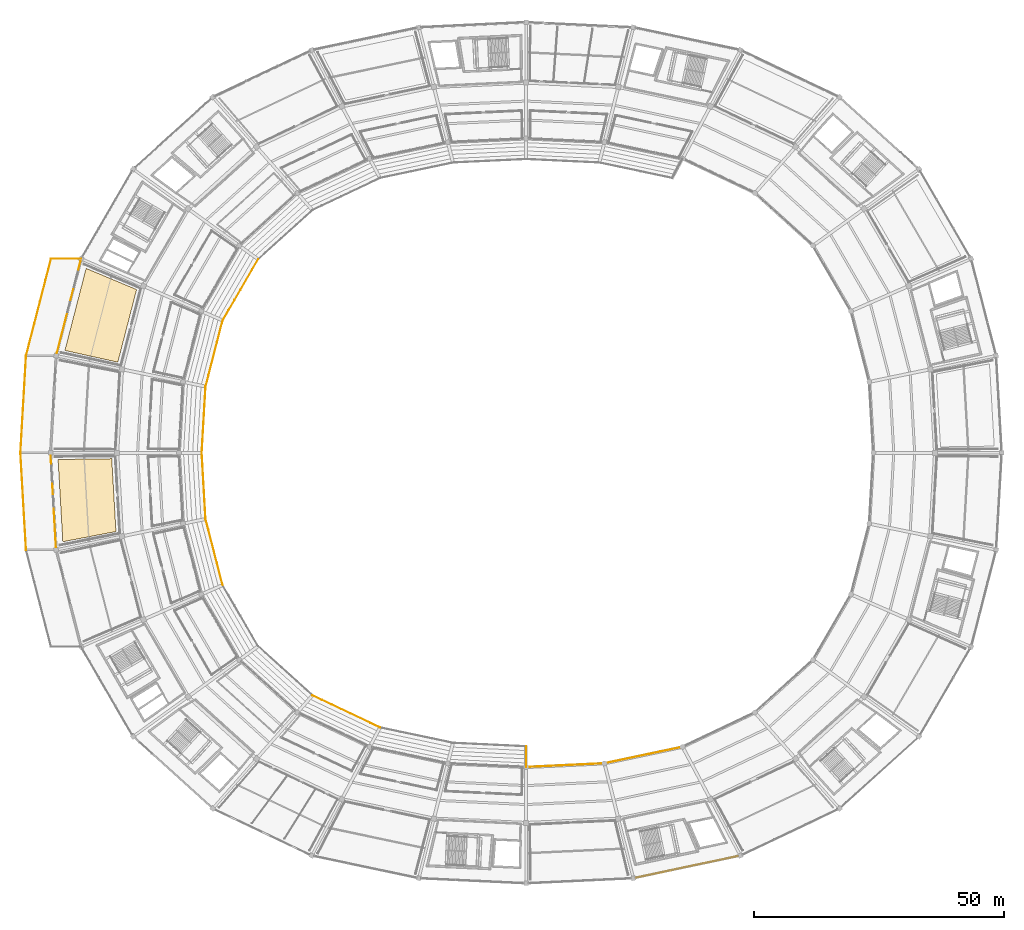
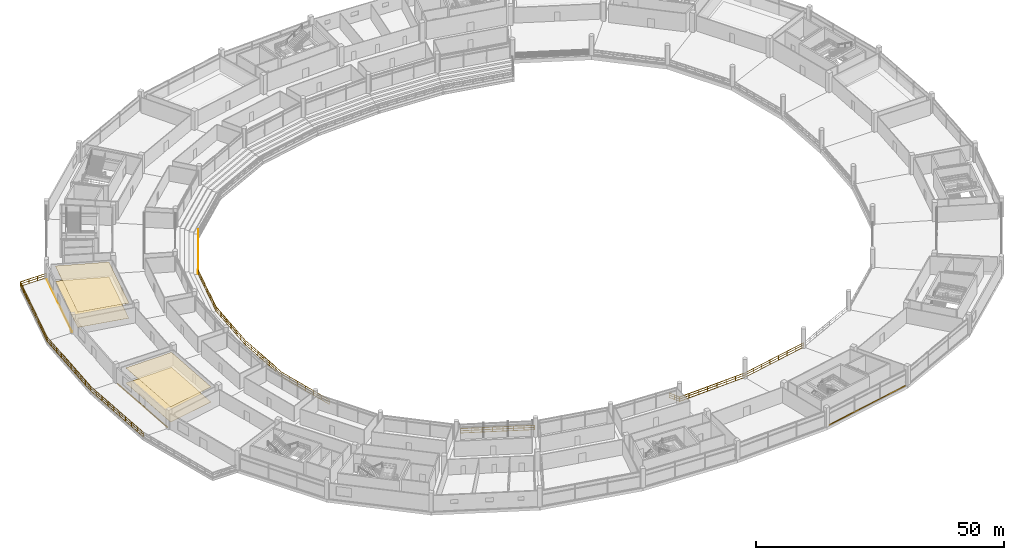
# One storey, part 166 of 171: 13 railings, 7 coverings.
"""IFC4 building model written with IfcOpenShell, lengths in metres."""

from ifc_helpers import new_model, si_unit, direction, frame, origin, origin_2d, place, context, subcontext, project, spatial, polyline, rectangle, outline, extrude, material, layer, layer_set, type_object, element, save


model = new_model("IFC4")

# Units and contexts
model_context = context("Model", 3, precision=1e-05, world=origin(), true_north=direction((0.0, 1.0)))
body_context = subcontext(model_context, "Body", "Model", "MODEL_VIEW")
ifc_project = project(units=[si_unit("LENGTHUNIT", "METRE"), si_unit("AREAUNIT", "SQUARE_METRE"), si_unit("VOLUMEUNIT", "CUBIC_METRE"), si_unit("PLANEANGLEUNIT", "RADIAN"), si_unit("MASSUNIT", "GRAM", prefix="KILO")], contexts=[model_context])

# Site, building, storey
site_placement = place(None, origin())
site = spatial("IfcSite", under=ifc_project, at=site_placement, CompositionType="ELEMENT")
building_placement = place(site_placement, origin())
building = spatial("IfcBuilding", under=site, at=building_placement, Name="Kazemori Nagisa Stadium", CompositionType="ELEMENT")
storey_placement = place(building_placement, frame((0.0, 0.0, 15.639892578125)))
storey = spatial("IfcBuildingStorey", under=building, at=storey_placement, Name="L03", CompositionType="ELEMENT", Elevation=15.639892578125)

# Coverings
ifc_material_1 = material(Name="Mineral-fibre acoustic board", Category="gypsum")
ifc_layer_1 = layer(ifc_material_1, 0.02001953125, Name="Mineral-fibre acoustic board", Category="gypsum")
ifc_layer_set_1 = layer_set([ifc_layer_1], Name="Mineral-fibre acoustic board")
covering_type_1 = type_object("IfcCoveringType", Name="Cov_CEIL", PredefinedType="CEILING", material=ifc_layer_set_1)
covering_1_placement = place(storey_placement, frame((0.0, 0.0, 3.730224609375)))
element("IfcCovering", 1, at=covering_1_placement, inside=storey, type_object=covering_type_1, Name="Acoustic ceiling L03-B13", PredefinedType="CEILING", context=body_context, shape_type="SweptSolid", body=[
    extrude(outline(polyline([(45.1875, 134.6083984375), (41.44091796875, 120.095947265625), (30.871826171875, 122.44091796875), (35.103759765625, 138.833984375), (45.1875, 134.6083984375)])), origin(), (0.0, 0.0, 1.0), 0.019775390625),
])
covering_2_placement = place(storey_placement, frame((0.0, 0.0, 3.730224609375)))
element("IfcCovering", 2, at=covering_2_placement, inside=storey, type_object=covering_type_1, Name="Acoustic ceiling L03-B15", PredefinedType="CEILING", context=body_context, shape_type="SweptSolid", body=[
    extrude(outline(polyline([(40.228271484375, 100.81591796875), (41.067626953125, 86.269287109375), (30.4501953125, 84.230712890625), (29.502197265625, 100.66259765625), (40.228271484375, 100.81591796875)])), origin(), (0.0, 0.0, 1.0), 0.019775390625),
])
ifc_material_2 = material(Name="Porcelain stoneware tile", Category="masonry")
ifc_layer_2 = layer(ifc_material_2, 0.02490234375, Name="Porcelain stoneware tile", Category="masonry")
ifc_layer_set_2 = layer_set([ifc_layer_2], Name="Porcelain stoneware tile")
covering_type_2 = type_object("IfcCoveringType", Name="Cov_FLOOR", PredefinedType="FLOORING", material=ifc_layer_set_2)
covering_3_placement = place(storey_placement, origin())
element("IfcCovering", 3, at=covering_3_placement, inside=storey, type_object=covering_type_2, Name="Porcelain floor finish L03-B13", PredefinedType="FLOORING", context=body_context, shape_type="SweptSolid", body=[
    extrude(outline(polyline([(45.1875, 134.6083984375), (41.44091796875, 120.095947265625), (30.871826171875, 122.44091796875), (35.103759765625, 138.833984375), (45.1875, 134.6083984375)])), origin(), (0.0, 0.0, 1.0), 0.025146484375),
])
covering_4_placement = place(storey_placement, origin())
element("IfcCovering", 4, at=covering_4_placement, inside=storey, type_object=covering_type_2, Name="Porcelain floor finish L03-B15", PredefinedType="FLOORING", context=body_context, shape_type="SweptSolid", body=[
    extrude(outline(polyline([(40.228271484375, 100.81591796875), (41.067626953125, 86.269287109375), (30.4501953125, 84.230712890625), (29.502197265625, 100.66259765625), (40.228271484375, 100.81591796875)])), origin(), (0.0, 0.0, 1.0), 0.025146484375),
])
ifc_material_3 = material(Name="Anodised aluminium 6063-T5", Category="aluminium")
ifc_layer_3 = layer(ifc_material_3, 0.034912109375, Name="Anodised aluminium 6063-T5", Category="aluminium")
ifc_layer_set_3 = layer_set([ifc_layer_3], Name="Anodised aluminium 6063-T5")
covering_type_3 = type_object("IfcCoveringType", Name="Covering_CLAD", PredefinedType="CLADDING", material=ifc_layer_set_3)
covering_5_placement = place(storey_placement, frame((31.6171875, 131.07373046875, -0.259765625), z_axis=(0.0, 0.0, 1.0), x_axis=(-0.249964642418, -0.968254965152, 0.0)))
element("IfcCovering", 5, at=covering_5_placement, inside=storey, type_object=covering_type_3, Name="Anodised fascia cladding L03-B13", PredefinedType="CLADDING", context=body_context, shape_type="SweptSolid", body=[
    extrude(rectangle(XDim=18.88623046875, YDim=0.0400390625, at=origin_2d()), origin(), (0.0, 0.0, 1.0), 0.260009765625),
])
covering_6_placement = place(storey_placement, frame((28.5595703125, 92.30126953125, -0.259765625), z_axis=(0.0, 0.0, 1.0), x_axis=(0.057601670941, -0.998339645364, 0.0)))
element("IfcCovering", 6, at=covering_6_placement, inside=storey, type_object=covering_type_3, Name="Anodised fascia cladding L03-B15", PredefinedType="CLADDING", context=body_context, shape_type="SweptSolid", body=[
    extrude(rectangle(XDim=18.329833984375, YDim=0.0400390625, at=origin_2d()), origin(), (0.0, 0.0, 1.0), 0.260009765625),
])
covering_7_placement = place(storey_placement, frame((155.1162109375, 19.2744140625, -0.259765625), z_axis=(0.0, 0.0, 1.0), x_axis=(0.978344955407, 0.206981033502, 0.0)))
element("IfcCovering", 7, at=covering_7_placement, inside=storey, type_object=covering_type_3, Name="Anodised fascia cladding L03-B23", PredefinedType="CLADDING", context=body_context, shape_type="SweptSolid", body=[
    extrude(rectangle(XDim=20.750244140625, YDim=0.0400390625, at=origin_2d()), origin(), (0.0, 0.0, 1.0), 0.260009765625),
])

# Railings
ifc_material_4 = material(Name="Laminated safety glass and stainless steel SUS304", Category="steel")
railing_type_1 = type_object("IfcRailingType", Name="Rail_BAL", PredefinedType="BALUSTRADE", material=ifc_material_4)
railing_1_placement = place(storey_placement, frame((123.0, 39.219970703125, 0.0)))
element("IfcRailing", 8, at=railing_1_placement, inside=storey, type_object=railing_type_1, Name="Concourse bowl balustrade L03-B22", PredefinedType="BALUSTRADE", context=body_context, shape_type="SweptSolid", body=[
    extrude(rectangle(XDim=0.050048828125, YDim=0.050048828125, at=origin_2d()), frame((0.0, 0.0, 1.09521484375), z_axis=(0.998883604512, 0.047239227746, 0.0), x_axis=(-0.047239227746, 0.998883604512, 0.0)), (0.0, 0.0, 1.0), 15.65966796875),
    extrude(rectangle(XDim=0.03759765625, YDim=0.03759765625, at=origin_2d()), frame((0.0, 0.0, 0.58251953125), z_axis=(0.998883604512, 0.047239227746, 0.0), x_axis=(-0.047239227746, 0.998883604512, 0.0)), (0.0, 0.0, 1.0), 15.65966796875),
    extrude(rectangle(XDim=0.03759765625, YDim=0.03759765625, at=origin_2d()), frame((0.0, 0.0, 0.02490234375), z_axis=(0.998883604512, 0.047239227746, 0.0), x_axis=(-0.047239227746, 0.998883604512, 0.0)), (0.0, 0.0, 1.0), 15.65966796875),
    extrude(rectangle(XDim=0.044921875, YDim=0.044921875, at=origin_2d()), origin(), (0.0, 0.0, 1.0), 1.070068359375),
    extrude(rectangle(XDim=0.044921875, YDim=0.044921875, at=origin_2d()), frame((2.234619140625, 0.105712890625, 0.0)), (0.0, 0.0, 1.0), 1.070068359375),
    extrude(rectangle(XDim=0.044921875, YDim=0.044921875, at=origin_2d()), frame((4.46923828125, 0.21142578125, 0.0)), (0.0, 0.0, 1.0), 1.070068359375),
    extrude(rectangle(XDim=0.044921875, YDim=0.044921875, at=origin_2d()), frame((6.703857421875, 0.317138671875, 0.0)), (0.0, 0.0, 1.0), 1.070068359375),
    extrude(rectangle(XDim=0.044921875, YDim=0.044921875, at=origin_2d()), frame((8.938232421875, 0.422607421875, 0.0)), (0.0, 0.0, 1.0), 1.070068359375),
    extrude(rectangle(XDim=0.044921875, YDim=0.044921875, at=origin_2d()), frame((11.1728515625, 0.5283203125, 0.0)), (0.0, 0.0, 1.0), 1.070068359375),
    extrude(rectangle(XDim=0.044921875, YDim=0.044921875, at=origin_2d()), frame((13.407470703125, 0.634033203125, 0.0)), (0.0, 0.0, 1.0), 1.070068359375),
    extrude(rectangle(XDim=0.044921875, YDim=0.044921875, at=origin_2d()), frame((15.64208984375, 0.73974609375, 0.0)), (0.0, 0.0, 1.0), 1.070068359375),
])
railing_2_placement = place(storey_placement, frame((138.64208984375, 39.959716796875, 0.0)))
element("IfcRailing", 9, at=railing_2_placement, inside=storey, type_object=railing_type_1, Name="Concourse bowl balustrade L03-B23", PredefinedType="BALUSTRADE", context=body_context, shape_type="SweptSolid", body=[
    extrude(rectangle(XDim=0.050048828125, YDim=0.050048828125, at=origin_2d()), frame((0.0, 0.0, 1.09521484375), z_axis=(0.978348272746, 0.206965352692, 0.0), x_axis=(-0.206965352692, 0.978348272746, 0.0)), (0.0, 0.0, 1.0), 15.950927734375),
    extrude(rectangle(XDim=0.03759765625, YDim=0.03759765625, at=origin_2d()), frame((0.0, 0.0, 0.58251953125), z_axis=(0.978348272746, 0.206965352692, 0.0), x_axis=(-0.206965352692, 0.978348272746, 0.0)), (0.0, 0.0, 1.0), 15.950927734375),
    extrude(rectangle(XDim=0.03759765625, YDim=0.03759765625, at=origin_2d()), frame((0.0, 0.0, 0.02490234375), z_axis=(0.978348272746, 0.206965352692, 0.0), x_axis=(-0.206965352692, 0.978348272746, 0.0)), (0.0, 0.0, 1.0), 15.950927734375),
    extrude(rectangle(XDim=0.044921875, YDim=0.044921875, at=origin_2d()), origin(), (0.0, 0.0, 1.0), 1.070068359375),
    extrude(rectangle(XDim=0.044921875, YDim=0.044921875, at=origin_2d()), frame((2.229248046875, 0.4716796875, 0.0)), (0.0, 0.0, 1.0), 1.070068359375),
    extrude(rectangle(XDim=0.044921875, YDim=0.044921875, at=origin_2d()), frame((4.458740234375, 0.943115234375, 0.0)), (0.0, 0.0, 1.0), 1.070068359375),
    extrude(rectangle(XDim=0.044921875, YDim=0.044921875, at=origin_2d()), frame((6.68798828125, 1.414794921875, 0.0)), (0.0, 0.0, 1.0), 1.070068359375),
    extrude(rectangle(XDim=0.044921875, YDim=0.044921875, at=origin_2d()), frame((8.91748046875, 1.886474609375, 0.0)), (0.0, 0.0, 1.0), 1.070068359375),
    extrude(rectangle(XDim=0.044921875, YDim=0.044921875, at=origin_2d()), frame((11.146728515625, 2.358154296875, 0.0)), (0.0, 0.0, 1.0), 1.070068359375),
    extrude(rectangle(XDim=0.044921875, YDim=0.044921875, at=origin_2d()), frame((13.376220703125, 2.82958984375, 0.0)), (0.0, 0.0, 1.0), 1.070068359375),
    extrude(rectangle(XDim=0.044921875, YDim=0.044921875, at=origin_2d()), frame((15.60546875, 3.30126953125, 0.0)), (0.0, 0.0, 1.0), 1.070068359375),
])
railing_3_placement = place(storey_placement, frame((28.114990234375, 140.74951171875, 0.0)))
element("IfcRailing", 10, at=railing_3_placement, inside=storey, type_object=railing_type_1, Name="Boulevard club terrace balustrade W-B13", PredefinedType="BALUSTRADE", context=body_context, shape_type="SweptSolid", body=[
    extrude(rectangle(XDim=0.050048828125, YDim=0.050048828125, at=origin_2d()), frame((0.0, 0.0, 1.09521484375), z_axis=(-0.249964097999, -0.968255105699, 0.0), x_axis=(0.968255105699, -0.249964097999, 0.0)), (0.0, 0.0, 1.0), 19.986328125),
    extrude(rectangle(XDim=0.03759765625, YDim=0.03759765625, at=origin_2d()), frame((0.0, 0.0, 0.58251953125), z_axis=(-0.249964097999, -0.968255105699, 0.0), x_axis=(0.968255105699, -0.249964097999, 0.0)), (0.0, 0.0, 1.0), 19.986328125),
    extrude(rectangle(XDim=0.03759765625, YDim=0.03759765625, at=origin_2d()), frame((0.0, 0.0, 0.02490234375), z_axis=(-0.249964097999, -0.968255105699, 0.0), x_axis=(0.968255105699, -0.249964097999, 0.0)), (0.0, 0.0, 1.0), 19.986328125),
    extrude(rectangle(XDim=0.044921875, YDim=0.044921875, at=origin_2d()), origin(), (0.0, 0.0, 1.0), 1.070068359375),
    extrude(rectangle(XDim=0.044921875, YDim=0.044921875, at=origin_2d()), frame((-0.55517578125, -2.150146484375, 0.0)), (0.0, 0.0, 1.0), 1.070068359375),
    extrude(rectangle(XDim=0.044921875, YDim=0.044921875, at=origin_2d()), frame((-1.110107421875, -4.30029296875, 0.0)), (0.0, 0.0, 1.0), 1.070068359375),
    extrude(rectangle(XDim=0.044921875, YDim=0.044921875, at=origin_2d()), frame((-1.665283203125, -6.45068359375, 0.0)), (0.0, 0.0, 1.0), 1.070068359375),
    extrude(rectangle(XDim=0.044921875, YDim=0.044921875, at=origin_2d()), frame((-2.220458984375, -8.600830078125, 0.0)), (0.0, 0.0, 1.0), 1.070068359375),
    extrude(rectangle(XDim=0.044921875, YDim=0.044921875, at=origin_2d()), frame((-2.775390625, -10.7509765625, 0.0)), (0.0, 0.0, 1.0), 1.070068359375),
    extrude(rectangle(XDim=0.044921875, YDim=0.044921875, at=origin_2d()), frame((-3.33056640625, -12.901123046875, 0.0)), (0.0, 0.0, 1.0), 1.070068359375),
    extrude(rectangle(XDim=0.044921875, YDim=0.044921875, at=origin_2d()), frame((-3.8857421875, -15.051513671875, 0.0)), (0.0, 0.0, 1.0), 1.070068359375),
    extrude(rectangle(XDim=0.044921875, YDim=0.044921875, at=origin_2d()), frame((-4.440673828125, -17.20166015625, 0.0)), (0.0, 0.0, 1.0), 1.070068359375),
    extrude(rectangle(XDim=0.044921875, YDim=0.044921875, at=origin_2d()), frame((-4.995849609375, -19.351806640625, 0.0)), (0.0, 0.0, 1.0), 1.070068359375),
])
railing_4_placement = place(storey_placement, frame((23.119140625, 121.397705078125, 0.0)))
element("IfcRailing", 11, at=railing_4_placement, inside=storey, type_object=railing_type_1, Name="Boulevard club terrace balustrade W-B14", PredefinedType="BALUSTRADE", context=body_context, shape_type="SweptSolid", body=[
    extrude(rectangle(XDim=0.050048828125, YDim=0.050048828125, at=origin_2d()), frame((0.0, 0.0, 1.09521484375), z_axis=(-0.057598702622, -0.998339816624, 0.0), x_axis=(0.998339816624, -0.057598702622, 0.0)), (0.0, 0.0, 1.0), 19.429931640625),
    extrude(rectangle(XDim=0.03759765625, YDim=0.03759765625, at=origin_2d()), frame((0.0, 0.0, 0.58251953125), z_axis=(-0.057598702622, -0.998339816624, 0.0), x_axis=(0.998339816624, -0.057598702622, 0.0)), (0.0, 0.0, 1.0), 19.429931640625),
    extrude(rectangle(XDim=0.03759765625, YDim=0.03759765625, at=origin_2d()), frame((0.0, 0.0, 0.02490234375), z_axis=(-0.057598702622, -0.998339816624, 0.0), x_axis=(0.998339816624, -0.057598702622, 0.0)), (0.0, 0.0, 1.0), 19.429931640625),
    extrude(rectangle(XDim=0.044921875, YDim=0.044921875, at=origin_2d()), origin(), (0.0, 0.0, 1.0), 1.070068359375),
    extrude(rectangle(XDim=0.044921875, YDim=0.044921875, at=origin_2d()), frame((-0.124267578125, -2.1552734375, 0.0)), (0.0, 0.0, 1.0), 1.070068359375),
    extrude(rectangle(XDim=0.044921875, YDim=0.044921875, at=origin_2d()), frame((-0.248779296875, -4.310546875, 0.0)), (0.0, 0.0, 1.0), 1.070068359375),
    extrude(rectangle(XDim=0.044921875, YDim=0.044921875, at=origin_2d()), frame((-0.373046875, -6.4658203125, 0.0)), (0.0, 0.0, 1.0), 1.070068359375),
    extrude(rectangle(XDim=0.044921875, YDim=0.044921875, at=origin_2d()), frame((-0.497314453125, -8.62109375, 0.0)), (0.0, 0.0, 1.0), 1.070068359375),
    extrude(rectangle(XDim=0.044921875, YDim=0.044921875, at=origin_2d()), frame((-0.621826171875, -10.776611328125, 0.0)), (0.0, 0.0, 1.0), 1.070068359375),
    extrude(rectangle(XDim=0.044921875, YDim=0.044921875, at=origin_2d()), frame((-0.74609375, -12.931884765625, 0.0)), (0.0, 0.0, 1.0), 1.070068359375),
    extrude(rectangle(XDim=0.044921875, YDim=0.044921875, at=origin_2d()), frame((-0.870361328125, -15.087158203125, 0.0)), (0.0, 0.0, 1.0), 1.070068359375),
    extrude(rectangle(XDim=0.044921875, YDim=0.044921875, at=origin_2d()), frame((-0.994873046875, -17.242431640625, 0.0)), (0.0, 0.0, 1.0), 1.070068359375),
    extrude(rectangle(XDim=0.044921875, YDim=0.044921875, at=origin_2d()), frame((-1.119140625, -19.397705078125, 0.0)), (0.0, 0.0, 1.0), 1.070068359375),
])
railing_5_placement = place(storey_placement, frame((22.0, 102.0, 0.0)))
element("IfcRailing", 12, at=railing_5_placement, inside=storey, type_object=railing_type_1, Name="Boulevard club terrace balustrade W-B15", PredefinedType="BALUSTRADE", context=body_context, shape_type="SweptSolid", body=[
    extrude(rectangle(XDim=0.050048828125, YDim=0.050048828125, at=origin_2d()), frame((0.0, 0.0, 1.09521484375), z_axis=(0.057598702622, -0.998339816624, 0.0), x_axis=(0.998339816624, 0.057598702622, 0.0)), (0.0, 0.0, 1.0), 19.429931640625),
    extrude(rectangle(XDim=0.03759765625, YDim=0.03759765625, at=origin_2d()), frame((0.0, 0.0, 0.58251953125), z_axis=(0.057598702622, -0.998339816624, 0.0), x_axis=(0.998339816624, 0.057598702622, 0.0)), (0.0, 0.0, 1.0), 19.429931640625),
    extrude(rectangle(XDim=0.03759765625, YDim=0.03759765625, at=origin_2d()), frame((0.0, 0.0, 0.02490234375), z_axis=(0.057598702622, -0.998339816624, 0.0), x_axis=(0.998339816624, 0.057598702622, 0.0)), (0.0, 0.0, 1.0), 19.429931640625),
    extrude(rectangle(XDim=0.044921875, YDim=0.044921875, at=origin_2d()), origin(), (0.0, 0.0, 1.0), 1.070068359375),
    extrude(rectangle(XDim=0.044921875, YDim=0.044921875, at=origin_2d()), frame((0.124267578125, -2.1552734375, 0.0)), (0.0, 0.0, 1.0), 1.070068359375),
    extrude(rectangle(XDim=0.044921875, YDim=0.044921875, at=origin_2d()), frame((0.248779296875, -4.310546875, 0.0)), (0.0, 0.0, 1.0), 1.070068359375),
    extrude(rectangle(XDim=0.044921875, YDim=0.044921875, at=origin_2d()), frame((0.373046875, -6.4658203125, 0.0)), (0.0, 0.0, 1.0), 1.070068359375),
    extrude(rectangle(XDim=0.044921875, YDim=0.044921875, at=origin_2d()), frame((0.497314453125, -8.62109375, 0.0)), (0.0, 0.0, 1.0), 1.070068359375),
    extrude(rectangle(XDim=0.044921875, YDim=0.044921875, at=origin_2d()), frame((0.621826171875, -10.776611328125, 0.0)), (0.0, 0.0, 1.0), 1.070068359375),
    extrude(rectangle(XDim=0.044921875, YDim=0.044921875, at=origin_2d()), frame((0.74609375, -12.931884765625, 0.0)), (0.0, 0.0, 1.0), 1.070068359375),
    extrude(rectangle(XDim=0.044921875, YDim=0.044921875, at=origin_2d()), frame((0.870361328125, -15.087158203125, 0.0)), (0.0, 0.0, 1.0), 1.070068359375),
    extrude(rectangle(XDim=0.044921875, YDim=0.044921875, at=origin_2d()), frame((0.994873046875, -17.242431640625, 0.0)), (0.0, 0.0, 1.0), 1.070068359375),
    extrude(rectangle(XDim=0.044921875, YDim=0.044921875, at=origin_2d()), frame((1.119140625, -19.397705078125, 0.0)), (0.0, 0.0, 1.0), 1.070068359375),
])
railing_6_placement = place(storey_placement, frame((28.114990234375, 140.74951171875, 0.0)))
element("IfcRailing", 13, at=railing_6_placement, inside=storey, type_object=railing_type_1, Name="Boulevard club terrace end balustrade N", PredefinedType="BALUSTRADE", context=body_context, shape_type="SweptSolid", body=[
    extrude(rectangle(XDim=0.050048828125, YDim=0.050048828125, at=origin_2d()), frame((0.0, 0.0, 1.09521484375), z_axis=(1.0, 0.0, 0.0), x_axis=(0.0, 1.0, 0.0)), (0.0, 0.0, 1.0), 6.0),
    extrude(rectangle(XDim=0.03759765625, YDim=0.03759765625, at=origin_2d()), frame((0.0, 0.0, 0.58251953125), z_axis=(1.0, 0.0, 0.0), x_axis=(0.0, 1.0, 0.0)), (0.0, 0.0, 1.0), 6.0),
    extrude(rectangle(XDim=0.03759765625, YDim=0.03759765625, at=origin_2d()), frame((0.0, 0.0, 0.02490234375), z_axis=(1.0, 0.0, 0.0), x_axis=(0.0, 1.0, 0.0)), (0.0, 0.0, 1.0), 6.0),
    extrude(rectangle(XDim=0.044921875, YDim=0.044921875, at=origin_2d()), origin(), (0.0, 0.0, 1.0), 1.070068359375),
    extrude(rectangle(XDim=0.044921875, YDim=0.044921875, at=origin_2d()), frame((2.0, 0.0, 0.0)), (0.0, 0.0, 1.0), 1.070068359375),
    extrude(rectangle(XDim=0.044921875, YDim=0.044921875, at=origin_2d()), frame((4.0, 0.0, 0.0)), (0.0, 0.0, 1.0), 1.070068359375),
    extrude(rectangle(XDim=0.044921875, YDim=0.044921875, at=origin_2d()), frame((6.0, 0.0, 0.0)), (0.0, 0.0, 1.0), 1.070068359375),
])
railing_7_placement = place(storey_placement, frame((69.466064453125, 140.647216796875, -1.519775390625)))
element("IfcRailing", 14, at=railing_7_placement, inside=storey, type_object=railing_type_1, Name="Club tier front balustrade B12", PredefinedType="BALUSTRADE", context=body_context, shape_type="SweptSolid", body=[
    extrude(rectangle(XDim=0.050048828125, YDim=0.050048828125, at=origin_2d()), frame((0.0, 0.0, 1.09521484375), z_axis=(-0.501617986133, -0.865089241632, 0.0), x_axis=(0.865089241632, -0.501617986133, 0.0)), (0.0, 0.0, 1.0), 14.125732421875),
    extrude(rectangle(XDim=0.03759765625, YDim=0.03759765625, at=origin_2d()), frame((0.0, 0.0, 0.58251953125), z_axis=(-0.501617986133, -0.865089241632, 0.0), x_axis=(0.865089241632, -0.501617986133, 0.0)), (0.0, 0.0, 1.0), 14.125732421875),
    extrude(rectangle(XDim=0.03759765625, YDim=0.03759765625, at=origin_2d()), frame((0.0, 0.0, 0.02490234375), z_axis=(-0.501617986133, -0.865089241632, 0.0), x_axis=(0.865089241632, -0.501617986133, 0.0)), (0.0, 0.0, 1.0), 14.125732421875),
    extrude(rectangle(XDim=0.044921875, YDim=0.044921875, at=origin_2d()), origin(), (0.0, 0.0, 1.0), 1.070068359375),
    extrude(rectangle(XDim=0.044921875, YDim=0.044921875, at=origin_2d()), frame((-1.180908203125, -2.03662109375, 0.0)), (0.0, 0.0, 1.0), 1.070068359375),
    extrude(rectangle(XDim=0.044921875, YDim=0.044921875, at=origin_2d()), frame((-2.36181640625, -4.0732421875, 0.0)), (0.0, 0.0, 1.0), 1.070068359375),
    extrude(rectangle(XDim=0.044921875, YDim=0.044921875, at=origin_2d()), frame((-3.54296875, -6.10986328125, 0.0)), (0.0, 0.0, 1.0), 1.070068359375),
    extrude(rectangle(XDim=0.044921875, YDim=0.044921875, at=origin_2d()), frame((-4.723876953125, -8.146728515625, 0.0)), (0.0, 0.0, 1.0), 1.070068359375),
    extrude(rectangle(XDim=0.044921875, YDim=0.044921875, at=origin_2d()), frame((-5.90478515625, -10.183349609375, 0.0)), (0.0, 0.0, 1.0), 1.070068359375),
    extrude(rectangle(XDim=0.044921875, YDim=0.044921875, at=origin_2d()), frame((-7.085693359375, -12.219970703125, 0.0)), (0.0, 0.0, 1.0), 1.070068359375),
])
railing_8_placement = place(storey_placement, frame((62.38037109375, 128.42724609375, -1.519775390625)))
element("IfcRailing", 15, at=railing_8_placement, inside=storey, type_object=railing_type_1, Name="Club tier front balustrade B13", PredefinedType="BALUSTRADE", context=body_context, shape_type="SweptSolid", body=[
    extrude(rectangle(XDim=0.050048828125, YDim=0.050048828125, at=origin_2d()), frame((0.0, 0.0, 1.09521484375), z_axis=(-0.249950064829, -0.968258728384, 0.0), x_axis=(0.968258728384, -0.249950064829, 0.0)), (0.0, 0.0, 1.0), 13.630615234375),
    extrude(rectangle(XDim=0.03759765625, YDim=0.03759765625, at=origin_2d()), frame((0.0, 0.0, 0.58251953125), z_axis=(-0.249950064829, -0.968258728384, 0.0), x_axis=(0.968258728384, -0.249950064829, 0.0)), (0.0, 0.0, 1.0), 13.630615234375),
    extrude(rectangle(XDim=0.03759765625, YDim=0.03759765625, at=origin_2d()), frame((0.0, 0.0, 0.02490234375), z_axis=(-0.249950064829, -0.968258728384, 0.0), x_axis=(0.968258728384, -0.249950064829, 0.0)), (0.0, 0.0, 1.0), 13.630615234375),
    extrude(rectangle(XDim=0.044921875, YDim=0.044921875, at=origin_2d()), origin(), (0.0, 0.0, 1.0), 1.070068359375),
    extrude(rectangle(XDim=0.044921875, YDim=0.044921875, at=origin_2d()), frame((-0.56787109375, -2.19970703125, 0.0)), (0.0, 0.0, 1.0), 1.070068359375),
    extrude(rectangle(XDim=0.044921875, YDim=0.044921875, at=origin_2d()), frame((-1.1357421875, -4.3994140625, 0.0)), (0.0, 0.0, 1.0), 1.070068359375),
    extrude(rectangle(XDim=0.044921875, YDim=0.044921875, at=origin_2d()), frame((-1.70361328125, -6.59912109375, 0.0)), (0.0, 0.0, 1.0), 1.070068359375),
    extrude(rectangle(XDim=0.044921875, YDim=0.044921875, at=origin_2d()), frame((-2.271240234375, -8.798583984375, 0.0)), (0.0, 0.0, 1.0), 1.070068359375),
    extrude(rectangle(XDim=0.044921875, YDim=0.044921875, at=origin_2d()), frame((-2.839111328125, -10.998291015625, 0.0)), (0.0, 0.0, 1.0), 1.070068359375),
    extrude(rectangle(XDim=0.044921875, YDim=0.044921875, at=origin_2d()), frame((-3.406982421875, -13.197998046875, 0.0)), (0.0, 0.0, 1.0), 1.070068359375),
])
railing_9_placement = place(storey_placement, frame((58.973388671875, 115.229248046875, -1.519775390625)))
element("IfcRailing", 16, at=railing_9_placement, inside=storey, type_object=railing_type_1, Name="Club tier front balustrade B14", PredefinedType="BALUSTRADE", context=body_context, shape_type="SweptSolid", body=[
    extrude(rectangle(XDim=0.050048828125, YDim=0.050048828125, at=origin_2d()), frame((0.0, 0.0, 1.09521484375), z_axis=(-0.057611719746, -0.998339065522, 0.0), x_axis=(0.998339065522, -0.057611719746, 0.0)), (0.0, 0.0, 1.0), 13.251220703125),
    extrude(rectangle(XDim=0.03759765625, YDim=0.03759765625, at=origin_2d()), frame((0.0, 0.0, 0.58251953125), z_axis=(-0.057611719746, -0.998339065522, 0.0), x_axis=(0.998339065522, -0.057611719746, 0.0)), (0.0, 0.0, 1.0), 13.251220703125),
    extrude(rectangle(XDim=0.03759765625, YDim=0.03759765625, at=origin_2d()), frame((0.0, 0.0, 0.02490234375), z_axis=(-0.057611719746, -0.998339065522, 0.0), x_axis=(0.998339065522, -0.057611719746, 0.0)), (0.0, 0.0, 1.0), 13.251220703125),
    extrude(rectangle(XDim=0.044921875, YDim=0.044921875, at=origin_2d()), origin(), (0.0, 0.0, 1.0), 1.070068359375),
    extrude(rectangle(XDim=0.044921875, YDim=0.044921875, at=origin_2d()), frame((-0.127197265625, -2.204833984375, 0.0)), (0.0, 0.0, 1.0), 1.070068359375),
    extrude(rectangle(XDim=0.044921875, YDim=0.044921875, at=origin_2d()), frame((-0.25439453125, -4.40966796875, 0.0)), (0.0, 0.0, 1.0), 1.070068359375),
    extrude(rectangle(XDim=0.044921875, YDim=0.044921875, at=origin_2d()), frame((-0.3818359375, -6.61474609375, 0.0)), (0.0, 0.0, 1.0), 1.070068359375),
    extrude(rectangle(XDim=0.044921875, YDim=0.044921875, at=origin_2d()), frame((-0.509033203125, -8.819580078125, 0.0)), (0.0, 0.0, 1.0), 1.070068359375),
    extrude(rectangle(XDim=0.044921875, YDim=0.044921875, at=origin_2d()), frame((-0.63623046875, -11.0244140625, 0.0)), (0.0, 0.0, 1.0), 1.070068359375),
    extrude(rectangle(XDim=0.044921875, YDim=0.044921875, at=origin_2d()), frame((-0.763427734375, -13.229248046875, 0.0)), (0.0, 0.0, 1.0), 1.070068359375),
])
railing_10_placement = place(storey_placement, frame((58.2099609375, 102.0, -1.519775390625)))
element("IfcRailing", 17, at=railing_10_placement, inside=storey, type_object=railing_type_1, Name="Club tier front balustrade B15", PredefinedType="BALUSTRADE", context=body_context, shape_type="SweptSolid", body=[
    extrude(rectangle(XDim=0.050048828125, YDim=0.050048828125, at=origin_2d()), frame((0.0, 0.0, 1.09521484375), z_axis=(0.057611719746, -0.998339065522, 0.0), x_axis=(0.998339065522, 0.057611719746, 0.0)), (0.0, 0.0, 1.0), 13.251220703125),
    extrude(rectangle(XDim=0.03759765625, YDim=0.03759765625, at=origin_2d()), frame((0.0, 0.0, 0.58251953125), z_axis=(0.057611719746, -0.998339065522, 0.0), x_axis=(0.998339065522, 0.057611719746, 0.0)), (0.0, 0.0, 1.0), 13.251220703125),
    extrude(rectangle(XDim=0.03759765625, YDim=0.03759765625, at=origin_2d()), frame((0.0, 0.0, 0.02490234375), z_axis=(0.057611719746, -0.998339065522, 0.0), x_axis=(0.998339065522, 0.057611719746, 0.0)), (0.0, 0.0, 1.0), 13.251220703125),
    extrude(rectangle(XDim=0.044921875, YDim=0.044921875, at=origin_2d()), origin(), (0.0, 0.0, 1.0), 1.070068359375),
    extrude(rectangle(XDim=0.044921875, YDim=0.044921875, at=origin_2d()), frame((0.127197265625, -2.204833984375, 0.0)), (0.0, 0.0, 1.0), 1.070068359375),
    extrude(rectangle(XDim=0.044921875, YDim=0.044921875, at=origin_2d()), frame((0.25439453125, -4.40966796875, 0.0)), (0.0, 0.0, 1.0), 1.070068359375),
    extrude(rectangle(XDim=0.044921875, YDim=0.044921875, at=origin_2d()), frame((0.3818359375, -6.61474609375, 0.0)), (0.0, 0.0, 1.0), 1.070068359375),
    extrude(rectangle(XDim=0.044921875, YDim=0.044921875, at=origin_2d()), frame((0.509033203125, -8.819580078125, 0.0)), (0.0, 0.0, 1.0), 1.070068359375),
    extrude(rectangle(XDim=0.044921875, YDim=0.044921875, at=origin_2d()), frame((0.63623046875, -11.0244140625, 0.0)), (0.0, 0.0, 1.0), 1.070068359375),
    extrude(rectangle(XDim=0.044921875, YDim=0.044921875, at=origin_2d()), frame((0.763427734375, -13.229248046875, 0.0)), (0.0, 0.0, 1.0), 1.070068359375),
])
railing_11_placement = place(storey_placement, frame((58.973388671875, 88.770751953125, -1.519775390625)))
element("IfcRailing", 18, at=railing_11_placement, inside=storey, type_object=railing_type_1, Name="Club tier front balustrade B16", PredefinedType="BALUSTRADE", context=body_context, shape_type="SweptSolid", body=[
    extrude(rectangle(XDim=0.050048828125, YDim=0.050048828125, at=origin_2d()), frame((0.0, 0.0, 1.09521484375), z_axis=(0.249950064829, -0.968258728384, 0.0), x_axis=(0.968258728384, 0.249950064829, 0.0)), (0.0, 0.0, 1.0), 13.630615234375),
    extrude(rectangle(XDim=0.03759765625, YDim=0.03759765625, at=origin_2d()), frame((0.0, 0.0, 0.58251953125), z_axis=(0.249950064829, -0.968258728384, 0.0), x_axis=(0.968258728384, 0.249950064829, 0.0)), (0.0, 0.0, 1.0), 13.630615234375),
    extrude(rectangle(XDim=0.03759765625, YDim=0.03759765625, at=origin_2d()), frame((0.0, 0.0, 0.02490234375), z_axis=(0.249950064829, -0.968258728384, 0.0), x_axis=(0.968258728384, 0.249950064829, 0.0)), (0.0, 0.0, 1.0), 13.630615234375),
    extrude(rectangle(XDim=0.044921875, YDim=0.044921875, at=origin_2d()), origin(), (0.0, 0.0, 1.0), 1.070068359375),
    extrude(rectangle(XDim=0.044921875, YDim=0.044921875, at=origin_2d()), frame((0.56787109375, -2.19970703125, 0.0)), (0.0, 0.0, 1.0), 1.070068359375),
    extrude(rectangle(XDim=0.044921875, YDim=0.044921875, at=origin_2d()), frame((1.1357421875, -4.3994140625, 0.0)), (0.0, 0.0, 1.0), 1.070068359375),
    extrude(rectangle(XDim=0.044921875, YDim=0.044921875, at=origin_2d()), frame((1.70361328125, -6.59912109375, 0.0)), (0.0, 0.0, 1.0), 1.070068359375),
    extrude(rectangle(XDim=0.044921875, YDim=0.044921875, at=origin_2d()), frame((2.271240234375, -8.798583984375, 0.0)), (0.0, 0.0, 1.0), 1.070068359375),
    extrude(rectangle(XDim=0.044921875, YDim=0.044921875, at=origin_2d()), frame((2.839111328125, -10.998291015625, 0.0)), (0.0, 0.0, 1.0), 1.070068359375),
    extrude(rectangle(XDim=0.044921875, YDim=0.044921875, at=origin_2d()), frame((3.406982421875, -13.197998046875, 0.0)), (0.0, 0.0, 1.0), 1.070068359375),
])
railing_12_placement = place(storey_placement, frame((80.30810546875, 53.537841796875, -1.519775390625)))
element("IfcRailing", 19, at=railing_12_placement, inside=storey, type_object=railing_type_1, Name="Club tier front balustrade B19", PredefinedType="BALUSTRADE", context=body_context, shape_type="SweptSolid", body=[
    extrude(rectangle(XDim=0.050048828125, YDim=0.050048828125, at=origin_2d()), frame((0.0, 0.0, 1.09521484375), z_axis=(0.90321228594, -0.429194089575, 0.0), x_axis=(0.429194089575, 0.90321228594, 0.0)), (0.0, 0.0, 1.0), 14.945556640625),
    extrude(rectangle(XDim=0.03759765625, YDim=0.03759765625, at=origin_2d()), frame((0.0, 0.0, 0.58251953125), z_axis=(0.90321228594, -0.429194089575, 0.0), x_axis=(0.429194089575, 0.90321228594, 0.0)), (0.0, 0.0, 1.0), 14.945556640625),
    extrude(rectangle(XDim=0.03759765625, YDim=0.03759765625, at=origin_2d()), frame((0.0, 0.0, 0.02490234375), z_axis=(0.90321228594, -0.429194089575, 0.0), x_axis=(0.429194089575, 0.90321228594, 0.0)), (0.0, 0.0, 1.0), 14.945556640625),
    extrude(rectangle(XDim=0.044921875, YDim=0.044921875, at=origin_2d()), origin(), (0.0, 0.0, 1.0), 1.070068359375),
    extrude(rectangle(XDim=0.044921875, YDim=0.044921875, at=origin_2d()), frame((1.928466796875, -0.916259765625, 0.0)), (0.0, 0.0, 1.0), 1.070068359375),
    extrude(rectangle(XDim=0.044921875, YDim=0.044921875, at=origin_2d()), frame((3.85693359375, -1.832763671875, 0.0)), (0.0, 0.0, 1.0), 1.070068359375),
    extrude(rectangle(XDim=0.044921875, YDim=0.044921875, at=origin_2d()), frame((5.785400390625, -2.7490234375, 0.0)), (0.0, 0.0, 1.0), 1.070068359375),
    extrude(rectangle(XDim=0.044921875, YDim=0.044921875, at=origin_2d()), frame((7.713623046875, -3.66552734375, 0.0)), (0.0, 0.0, 1.0), 1.070068359375),
    extrude(rectangle(XDim=0.044921875, YDim=0.044921875, at=origin_2d()), frame((9.64208984375, -4.581787109375, 0.0)), (0.0, 0.0, 1.0), 1.070068359375),
    extrude(rectangle(XDim=0.044921875, YDim=0.044921875, at=origin_2d()), frame((11.570556640625, -5.498291015625, 0.0)), (0.0, 0.0, 1.0), 1.070068359375),
    extrude(rectangle(XDim=0.044921875, YDim=0.044921875, at=origin_2d()), frame((13.4990234375, -6.41455078125, 0.0)), (0.0, 0.0, 1.0), 1.070068359375),
])
ifc_material_5 = material(Name="Galvanised powder-coated steel", Category="steel")
railing_type_2 = type_object("IfcRailingType", Name="Rail_GUARD", PredefinedType="GUARDRAIL", material=ifc_material_5)
railing_13_placement = place(storey_placement, frame((123.0, 43.347900390625, -1.519775390625)))
element("IfcRailing", 20, at=railing_13_placement, inside=storey, type_object=railing_type_2, Name="Club tier end guard B21R", PredefinedType="GUARDRAIL", context=body_context, shape_type="SweptSolid", body=[
    extrude(rectangle(XDim=0.050048828125, YDim=0.050048828125, at=origin_2d()), frame((0.0, 0.0, 1.09521484375), z_axis=(0.0, -0.938419848243, 0.34549701652), x_axis=(1.0, 0.0, 0.0)), (0.0, 0.0, 1.0), 4.39892578125),
    extrude(rectangle(XDim=0.03759765625, YDim=0.03759765625, at=origin_2d()), frame((0.0, 0.0, 0.58251953125), z_axis=(0.0, -0.938419848243, 0.34549701652), x_axis=(1.0, 0.0, 0.0)), (0.0, 0.0, 1.0), 4.39892578125),
    extrude(rectangle(XDim=0.03759765625, YDim=0.03759765625, at=origin_2d()), frame((0.0, 0.0, 0.02490234375), z_axis=(0.0, -0.938419848243, 0.34549701652), x_axis=(1.0, 0.0, 0.0)), (0.0, 0.0, 1.0), 4.39892578125),
    extrude(rectangle(XDim=0.044921875, YDim=0.044921875, at=origin_2d()), origin(), (0.0, 0.0, 1.0), 1.070068359375),
    extrude(rectangle(XDim=0.044921875, YDim=0.044921875, at=origin_2d()), frame((0.0, -2.06396484375, 0.759765625)), (0.0, 0.0, 1.0), 1.070068359375),
    extrude(rectangle(XDim=0.044921875, YDim=0.044921875, at=origin_2d()), frame((0.0, -4.1279296875, 1.519775390625)), (0.0, 0.0, 1.0), 1.070068359375),
])

save(model, "model.ifc")
